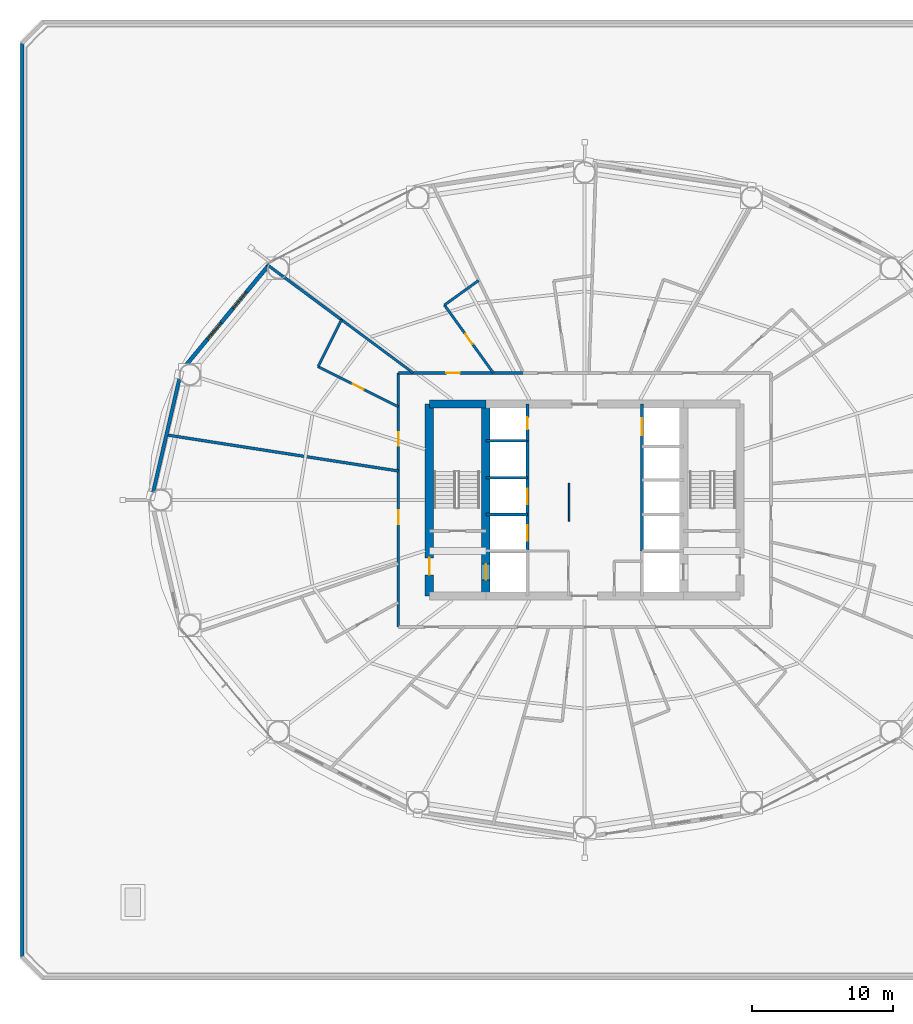
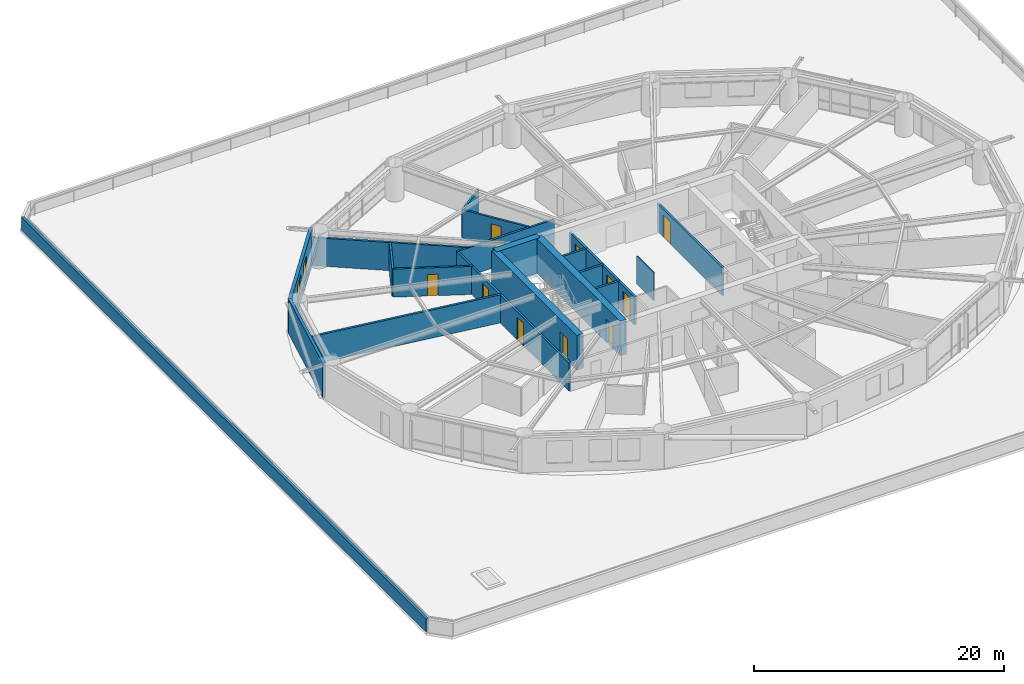
# One storey, part 24 of 30: 22 walls, 11 doors, 2 windows, 13 openings.
"""IFC4 building model written with IfcOpenShell, lengths in metres."""

from ifc_helpers import new_model, si_unit, direction, frame, frame_2d, origin, place, context, subcontext, project, spatial, rectangle, extrude, material, layer, layer_set, type_object, element, fill, save


model = new_model("IFC4")

# Units and contexts
model_context = context("Model", 3, precision=1e-05, world=origin(), true_north=direction((0.0, 1.0)))
body_context = subcontext(model_context, "Body", "Model", "MODEL_VIEW")
ifc_project = project(units=[si_unit("LENGTHUNIT", "METRE"), si_unit("AREAUNIT", "SQUARE_METRE"), si_unit("VOLUMEUNIT", "CUBIC_METRE"), si_unit("PLANEANGLEUNIT", "RADIAN"), si_unit("MASSUNIT", "GRAM", prefix="KILO")], contexts=[model_context])

# Site, building, storey
site_placement = place(None, origin())
site = spatial("IfcSite", under=ifc_project, at=site_placement, CompositionType="ELEMENT")
building_placement = place(site_placement, origin())
building = spatial("IfcBuilding", under=site, at=building_placement, Name="Sarneth Arch Tower", CompositionType="ELEMENT")
storey_placement = place(building_placement, frame((0.0, 0.0, 28.199951171875)))
storey = spatial("IfcBuildingStorey", under=building, at=storey_placement, Name="L05", CompositionType="ELEMENT", Elevation=28.199951171875)

# Wall
ifc_material_1 = material(Name="Concrete C60/75", Category="concrete")
ifc_layer_1 = layer(ifc_material_1, 0.60009765625)
ifc_layer_set_1 = layer_set([ifc_layer_1], Name="Concrete C60/75")
wall_type_1 = type_object("IfcWallType", Name="WALL-CORE-600", PredefinedType="SHEAR", material=ifc_layer_set_1)
wall_1_placement = place(storey_placement, frame((37.0, 48.800048828125, 0.0), z_axis=(0.0, 0.0, 1.0), x_axis=(1.0, 0.0, 0.0)))
element("IfcWall", 1, at=wall_1_placement, inside=storey, type_object=wall_type_1, Name="L05 Core shear wall N-W", PredefinedType="SHEAR", context=body_context, shape_type="SweptSolid", body=[
    extrude(rectangle(XDim=4.0, YDim=0.60009765625, at=frame_2d((2.0, 0.0))), origin(), (0.0, 0.0, 1.0), 3.380126953125),
])

# Wall, opening, door
wall_2_placement = place(storey_placement, frame((37.0, 35.199951171875, 0.0), z_axis=(0.0, 0.0, 1.0), x_axis=(0.0, 1.0, 0.0)))
wall_2 = element("IfcWall", 2, at=wall_2_placement, inside=storey, type_object=wall_type_1, Name="L05 Core shear wall W", PredefinedType="SHEAR", context=body_context, shape_type="SweptSolid", body=[
    extrude(rectangle(XDim=13.60009765625, YDim=0.60009765625, at=frame_2d((6.800048828125, 0.0))), origin(), (0.0, 0.0, 1.0), 3.380126953125),
])
opening_1_placement = place(wall_2_placement, frame((1.5, 0.0, 0.0)))
opening_1 = element("IfcOpeningElement", 3, at=opening_1_placement, cuts=wall_2, Name="Opening FD-02", PredefinedType="OPENING", context=body_context, shape_type="SweptSolid", body=[
    extrude(rectangle(XDim=1.199951171875, YDim=2.14990234375, at=frame_2d((0.60009765625, 1.074951171875))), frame((0.0, 0.31005859375, 0.0), z_axis=(0.0, -1.0, 0.0), x_axis=(1.0, 0.0, 0.0)), (0.0, 0.0, 1.0), 0.6201171875),
])
ifc_material_2 = material(Name="Galvanised Steel S275 fire door set", Category="steel")
door_type_1 = type_object("IfcDoorType", Name="DR-FD90-1200", OperationType="SINGLE_SWING_LEFT", PredefinedType="DOOR", material=ifc_material_2)
door_1_placement = place(opening_1_placement, origin())
door_1 = element("IfcDoor", 4, at=door_1_placement, inside=storey, type_object=door_type_1, Name="L05 Firefighting lobby 1 exit door", OperationType="SINGLE_SWING_LEFT", OverallHeight=2.14990234375, OverallWidth=1.199951171875, PredefinedType="DOOR", context=body_context, shape_type="SweptSolid", body=[
    extrude(rectangle(XDim=1.199951171875, YDim=2.14990234375, at=frame_2d((0.60009765625, 1.074951171875))), frame((0.0, 0.02490234375, 0.0), z_axis=(0.0, -1.0, 0.0), x_axis=(1.0, 0.0, 0.0)), (0.0, 0.0, 1.0), 0.050048828125),
])
fill(opening_1, door_1)

wall_3_placement = place(storey_placement, frame((41.0, 35.199951171875, 0.0), z_axis=(0.0, 0.0, 1.0), x_axis=(0.0, 1.0, 0.0)))
wall_3 = element("IfcWall", 5, at=wall_3_placement, inside=storey, type_object=wall_type_1, Name="L05 Core shear wall WEB-W", PredefinedType="SHEAR", context=body_context, shape_type="SweptSolid", body=[
    extrude(rectangle(XDim=13.60009765625, YDim=0.60009765625, at=frame_2d((6.800048828125, 0.0))), origin(), (0.0, 0.0, 1.0), 3.380126953125),
])
opening_2_placement = place(wall_3_placement, frame((1.14990234375, 0.0, 0.0)))
opening_2 = element("IfcOpeningElement", 6, at=opening_2_placement, cuts=wall_3, Name="Opening LD-1", PredefinedType="OPENING", context=body_context, shape_type="SweptSolid", body=[
    extrude(rectangle(XDim=1.10009765625, YDim=2.199951171875, at=frame_2d((0.550048828125, 1.10009765625))), frame((0.0, 0.31005859375, 0.0), z_axis=(0.0, -1.0, 0.0), x_axis=(1.0, 0.0, 0.0)), (0.0, 0.0, 1.0), 0.6201171875),
])
ifc_material_3 = material(Name="Brushed Stainless Steel 304 lift landing door", Category="steel")
door_type_2 = type_object("IfcDoorType", Name="DR-LIFT-SLIDE-1100", OperationType="SLIDING_TO_LEFT", PredefinedType="DOOR", material=ifc_material_3)
door_2_placement = place(opening_2_placement, origin())
door_2 = element("IfcDoor", 7, at=door_2_placement, inside=storey, type_object=door_type_2, Name="L05 Firefighting lift landing door FL-1", OperationType="SLIDING_TO_LEFT", OverallHeight=2.199951171875, OverallWidth=1.10009765625, PredefinedType="DOOR", context=body_context, shape_type="SweptSolid", body=[
    extrude(rectangle(XDim=1.10009765625, YDim=2.199951171875, at=frame_2d((0.550048828125, 1.10009765625))), frame((0.0, 0.02490234375, 0.0), z_axis=(0.0, -1.0, 0.0), x_axis=(1.0, 0.0, 0.0)), (0.0, 0.0, 1.0), 0.050048828125),
])
fill(opening_2, door_2)

# Wall, openings, doors
ifc_material_4 = material(Name="Double steel-stud corridor fire wall", Category="steel")
ifc_layer_2 = layer(ifc_material_4, 0.18994140625)
ifc_layer_set_2 = layer_set([ifc_layer_2], Name="Double steel-stud corridor fire wall")
wall_type_2 = type_object("IfcWallType", Name="WALL-CORR-190", PredefinedType="PARTITIONING", material=ifc_layer_set_2)
wall_4_placement = place(storey_placement, frame((34.800048828125, 33.0, 0.0), z_axis=(0.0, 0.0, 1.0), x_axis=(0.0, 1.0, 0.0)))
wall_4 = element("IfcWall", 8, at=wall_4_placement, inside=storey, type_object=wall_type_2, Name="L05 Interior partition W-L05-TP-014", PredefinedType="PARTITIONING", context=body_context, shape_type="SweptSolid", body=[
    extrude(rectangle(XDim=18.0, YDim=0.18994140625, at=frame_2d((9.0, 0.0))), origin(), (0.0, 0.0, 1.0), 2.739990234375),
])
opening_3_placement = place(wall_4_placement, frame((7.273681640625, 0.0, 0.0)))
opening_3 = element("IfcOpeningElement", 9, at=opening_3_placement, cuts=wall_4, Name="Opening FD-08", PredefinedType="OPENING", context=body_context, shape_type="SweptSolid", body=[
    extrude(rectangle(XDim=1.0, YDim=2.199951171875, at=frame_2d((0.5, 1.10009765625))), frame((0.0, 0.10498046875, 0.0), z_axis=(0.0, -1.0, 0.0), x_axis=(1.0, 0.0, 0.0)), (0.0, 0.0, 1.0), 0.2099609375),
])
opening_4_placement = place(wall_4_placement, frame((12.8544921875, 0.0, 0.0)))
opening_4 = element("IfcOpeningElement", 10, at=opening_4_placement, cuts=wall_4, Name="Opening FD-09", PredefinedType="OPENING", context=body_context, shape_type="SweptSolid", body=[
    extrude(rectangle(XDim=0.949951171875, YDim=2.14990234375, at=frame_2d((0.47509765625, 1.074951171875))), frame((0.0, 0.10498046875, 0.0), z_axis=(0.0, -1.0, 0.0), x_axis=(1.0, 0.0, 0.0)), (0.0, 0.0, 1.0), 0.2099609375),
])
ifc_material_5 = material(Name="Hardwood timber acoustic fire door", Category="wood")
door_type_3 = type_object("IfcDoorType", Name="DR-FD60-1000", OperationType="SINGLE_SWING_LEFT", PredefinedType="DOOR", material=ifc_material_5)
door_3_placement = place(opening_3_placement, origin())
door_3 = element("IfcDoor", 11, at=door_3_placement, inside=storey, type_object=door_type_3, Name="L05 Interior door DR-L05-AMN-07", OperationType="SINGLE_SWING_RIGHT", OverallHeight=2.199951171875, OverallWidth=1.0, PredefinedType="DOOR", context=body_context, shape_type="SweptSolid", body=[
    extrude(rectangle(XDim=1.0, YDim=2.199951171875, at=frame_2d((0.5, 1.10009765625))), frame((0.0, 0.02490234375, 0.0), z_axis=(0.0, -1.0, 0.0), x_axis=(1.0, 0.0, 0.0)), (0.0, 0.0, 1.0), 0.050048828125),
])
fill(opening_3, door_3)
ifc_material_6 = material(Name="Hardwood timber hotel entrance fire door", Category="wood")
door_type_4 = type_object("IfcDoorType", Name="DR-FD60-950", OperationType="SINGLE_SWING_RIGHT", PredefinedType="DOOR", material=ifc_material_6)
door_4_placement = place(opening_4_placement, origin())
door_4 = element("IfcDoor", 12, at=door_4_placement, inside=storey, type_object=door_type_4, Name="L05 Interior door DR-L05-KEY-06", OperationType="SINGLE_SWING_LEFT", OverallHeight=2.14990234375, OverallWidth=0.949951171875, PredefinedType="DOOR", context=body_context, shape_type="SweptSolid", body=[
    extrude(rectangle(XDim=0.949951171875, YDim=2.14990234375, at=frame_2d((0.47509765625, 1.074951171875))), frame((0.0, 0.02490234375, 0.0), z_axis=(0.0, -1.0, 0.0), x_axis=(1.0, 0.0, 0.0)), (0.0, 0.0, 1.0), 0.050048828125),
])
fill(opening_4, door_4)

# Wall, opening, door
wall_5_placement = place(storey_placement, frame((34.800048828125, 51.0, 0.0), z_axis=(0.0, 0.0, 1.0), x_axis=(1.0, 0.0, 0.0)))
wall_5 = element("IfcWall", 13, at=wall_5_placement, inside=storey, type_object=wall_type_2, Name="L05 Interior partition W-L05-TP-009", PredefinedType="PARTITIONING", context=body_context, shape_type="SweptSolid", body=[
    extrude(rectangle(XDim=8.890625, YDim=0.18994140625, at=frame_2d((4.4453125, 0.0))), origin(), (0.0, 0.0, 1.0), 2.739990234375),
])
opening_5_placement = place(wall_5_placement, frame((3.40673828125, 0.0, 0.0)))
opening_5 = element("IfcOpeningElement", 14, at=opening_5_placement, cuts=wall_5, Name="Opening FD-09", PredefinedType="OPENING", context=body_context, shape_type="SweptSolid", body=[
    extrude(rectangle(XDim=0.949951171875, YDim=2.14990234375, at=frame_2d((0.47509765625, 1.074951171875))), frame((0.0, 0.10498046875, 0.0), z_axis=(0.0, -1.0, 0.0), x_axis=(1.0, 0.0, 0.0)), (0.0, 0.0, 1.0), 0.2099609375),
])
door_5_placement = place(opening_5_placement, origin())
door_5 = element("IfcDoor", 15, at=door_5_placement, inside=storey, type_object=door_type_4, Name="L05 Interior door DR-L05-KEY-05", OperationType="SINGLE_SWING_LEFT", OverallHeight=2.14990234375, OverallWidth=0.949951171875, PredefinedType="DOOR", context=body_context, shape_type="SweptSolid", body=[
    extrude(rectangle(XDim=0.949951171875, YDim=2.14990234375, at=frame_2d((0.47509765625, 1.074951171875))), frame((0.0, 0.02490234375, 0.0), z_axis=(0.0, -1.0, 0.0), x_axis=(1.0, 0.0, 0.0)), (0.0, 0.0, 1.0), 0.050048828125),
])
fill(opening_5, door_5)

# Wall
ifc_material_7 = material(Name="Extruded terracotta rainscreen on Concrete C40/50 backing", Category="masonry")
ifc_layer_3 = layer(ifc_material_7, 0.25)
ifc_layer_set_3 = layer_set([ifc_layer_3], Name="Extruded terracotta rainscreen on Concrete C40/50 backing")
wall_type_3 = type_object("IfcWallType", Name="WALL-EXT-SPAND-250", PredefinedType="SOLIDWALL", material=ifc_layer_set_3)
wall_6_placement = place(storey_placement, frame((19.4189453125, 51.138427734375, 0.0), z_axis=(0.0, 0.0, 1.0), x_axis=(-0.225454452941, -0.974253709076, 0.0)))
element("IfcWall", 16, at=wall_6_placement, inside=storey, type_object=wall_type_3, Name="L05 Terracotta perimeter wall 08", PredefinedType="SOLIDWALL", context=body_context, shape_type="SweptSolid", body=[
    extrude(rectangle(XDim=9.3798828125, YDim=0.25, at=frame_2d((4.68994140625, 0.0))), origin(), (0.0, 0.0, 1.0), 3.380126953125),
])

# Wall, openings, windows
ifc_material_8 = material(Name="Extruded terracotta rainscreen on Concrete C40/50 backing", Category="masonry")
ifc_layer_4 = layer(ifc_material_8, 0.280029296875)
ifc_layer_set_4 = layer_set([ifc_layer_4], Name="Extruded terracotta rainscreen on Concrete C40/50 backing")
wall_type_4 = type_object("IfcWallType", Name="WALL-EXT-TERRA-280", PredefinedType="SOLIDWALL", material=ifc_layer_set_4)
wall_7_placement = place(storey_placement, frame((25.825927734375, 58.8857421875, 0.0), z_axis=(0.0, 0.0, 1.0), x_axis=(-0.637296809613, -0.770618437657, 0.0)))
wall_7 = element("IfcWall", 17, at=wall_7_placement, inside=storey, type_object=wall_type_4, Name="L05 Terracotta perimeter wall 07", PredefinedType="SOLIDWALL", context=body_context, shape_type="SweptSolid", body=[
    extrude(rectangle(XDim=10.053466796875, YDim=0.280029296875, at=frame_2d((5.02685546875, 0.0))), origin(), (0.0, 0.0, 1.0), 3.380126953125),
])
opening_6_placement = place(wall_7_placement, frame((2.798095703125, 0.0, 0.85009765625)))
opening_6 = element("IfcOpeningElement", 18, at=opening_6_placement, cuts=wall_7, Name="Opening W-07", PredefinedType="OPENING", context=body_context, shape_type="SweptSolid", body=[
    extrude(rectangle(XDim=1.5, YDim=1.800048828125, at=frame_2d((0.75, 0.89990234375))), frame((0.0, 0.14990234375, 0.0), z_axis=(0.0, -1.0, 0.0), x_axis=(1.0, 0.0, 0.0)), (0.0, 0.0, 1.0), 0.300048828125),
])
opening_7_placement = place(wall_7_placement, frame((5.6298828125, 0.0, 0.85009765625)))
opening_7 = element("IfcOpeningElement", 19, at=opening_7_placement, cuts=wall_7, Name="Opening W-07", PredefinedType="OPENING", context=body_context, shape_type="SweptSolid", body=[
    extrude(rectangle(XDim=1.5, YDim=1.800048828125, at=frame_2d((0.75, 0.89990234375))), frame((0.0, 0.14990234375, 0.0), z_axis=(0.0, -1.0, 0.0), x_axis=(1.0, 0.0, 0.0)), (0.0, 0.0, 1.0), 0.300048828125),
])
ifc_material_9 = material(Name="Thermally broken Aluminium 6063-T6 and low-e laminated IGU", Category="aluminium")
window_type = type_object("IfcWindowType", Name="WIN-TWR-1500x1800", PartitioningType="SINGLE_PANEL", PredefinedType="WINDOW", material=ifc_material_9)
window_1_placement = place(opening_6_placement, origin())
window_1 = element("IfcWindow", 20, at=window_1_placement, inside=storey, type_object=window_type, Name="L05 Exterior window 07A", OverallHeight=1.800048828125, OverallWidth=1.5, PartitioningType="SINGLE_PANEL", PredefinedType="WINDOW", context=body_context, shape_type="SweptSolid", body=[
    extrude(rectangle(XDim=1.5, YDim=1.800048828125, at=frame_2d((0.75, 0.89990234375))), frame((0.0, 0.030029296875, 0.0), z_axis=(0.0, -1.0, 0.0), x_axis=(1.0, 0.0, 0.0)), (0.0, 0.0, 1.0), 0.06005859375),
])
fill(opening_6, window_1)
window_2_placement = place(opening_7_placement, origin())
window_2 = element("IfcWindow", 21, at=window_2_placement, inside=storey, type_object=window_type, Name="L05 Exterior window 07B", OverallHeight=1.800048828125, OverallWidth=1.5, PartitioningType="SINGLE_PANEL", PredefinedType="WINDOW", context=body_context, shape_type="SweptSolid", body=[
    extrude(rectangle(XDim=1.5, YDim=1.800048828125, at=frame_2d((0.75, 0.89990234375))), frame((0.0, 0.030029296875, 0.0), z_axis=(0.0, -1.0, 0.0), x_axis=(1.0, 0.0, 0.0)), (0.0, 0.0, 1.0), 0.06005859375),
])
fill(opening_7, window_2)

# Walls
ifc_material_10 = material(Name="Demountable acoustic operable wall", Category="aluminium")
ifc_layer_5 = layer(ifc_material_10, 0.10009765625)
ifc_layer_set_5 = layer_set([ifc_layer_5], Name="Demountable acoustic operable wall")
wall_type_5 = type_object("IfcWallType", Name="WALL-MOVABLE-100", PredefinedType="MOVABLE", material=ifc_layer_set_5)
wall_8_placement = place(storey_placement, frame((46.89990234375, 40.5, 0.0), z_axis=(0.0, 0.0, 1.0), x_axis=(0.0, 1.0, 0.0)))
element("IfcWall", 22, at=wall_8_placement, inside=storey, type_object=wall_type_5, Name="L05 Lobby acoustic screen 2", PredefinedType="MOVABLE", context=body_context, shape_type="SweptSolid", body=[
    extrude(rectangle(XDim=2.699951171875, YDim=0.10009765625, at=frame_2d((1.35009765625, 0.0))), origin(), (0.0, 0.0, 1.0), 2.739990234375),
])
ifc_material_11 = material(Name="Extruded terracotta rainscreen on Concrete C40/50 backing", Category="masonry")
ifc_layer_6 = layer(ifc_material_11, 0.239990234375)
ifc_layer_set_6 = layer_set([ifc_layer_6], Name="Extruded terracotta rainscreen on Concrete C40/50 backing")
wall_type_6 = type_object("IfcWallType", Name="WALL-PARAPET-240", PredefinedType="PARAPET", material=ifc_layer_set_6)
wall_9_placement = place(storey_placement, frame((8.14990234375, 74.35009765625, 0.0), z_axis=(0.0, 0.0, 1.0), x_axis=(0.0, -1.0, 0.0)))
element("IfcWall", 23, at=wall_9_placement, inside=storey, type_object=wall_type_6, Name="L05 Podium roof parapet 7", PredefinedType="PARAPET", context=body_context, shape_type="SweptSolid", body=[
    extrude(rectangle(XDim=64.7001953125, YDim=0.239990234375, at=frame_2d((32.35009765625, 0.0))), origin(), (0.0, 0.0, 1.0), 1.25),
])

# Wall, opening, door
ifc_material_12 = material(Name="Moisture-resistant plumbing chase wall", Category="gypsum")
ifc_layer_7 = layer(ifc_material_12, 0.179931640625)
ifc_layer_set_7 = layer_set([ifc_layer_7], Name="Moisture-resistant plumbing chase wall")
wall_type_7 = type_object("IfcWallType", Name="WALL-PLUMB-180", PredefinedType="PLUMBINGWALL", material=ifc_layer_set_7)
wall_10_placement = place(storey_placement, frame((34.800048828125, 48.601318359375, 0.0), z_axis=(0.0, 0.0, 1.0), x_axis=(-0.894404156958, 0.447259660617, 0.0)))
wall_10 = element("IfcWall", 24, at=wall_10_placement, inside=storey, type_object=wall_type_7, Name="L05 Interior partition W-L05-TP-048", PredefinedType="PLUMBINGWALL", context=body_context, shape_type="SweptSolid", body=[
    extrude(rectangle(XDim=6.35986328125, YDim=0.179931640625, at=frame_2d((3.179931640625, 0.0))), origin(), (0.0, 0.0, 1.0), 2.739990234375),
])
opening_8_placement = place(wall_10_placement, frame((2.7548828125, 0.0, 0.0)))
opening_8 = element("IfcOpeningElement", 25, at=opening_8_placement, cuts=wall_10, Name="Opening ID-02", PredefinedType="OPENING", context=body_context, shape_type="SweptSolid", body=[
    extrude(rectangle(XDim=0.85009765625, YDim=2.10009765625, at=frame_2d((0.425048828125, 1.050048828125))), frame((0.0, 0.099853515625, 0.0), z_axis=(0.0, -1.0, 0.0), x_axis=(1.0, 0.0, 0.0)), (0.0, 0.0, 1.0), 0.199951171875),
])
ifc_material_13 = material(Name="Moisture-resistant bathroom timber door", Category="wood")
door_type_5 = type_object("IfcDoorType", Name="DR-INT-850", OperationType="SINGLE_SWING_RIGHT", PredefinedType="DOOR", material=ifc_material_13)
door_6_placement = place(opening_8_placement, origin())
door_6 = element("IfcDoor", 26, at=door_6_placement, inside=storey, type_object=door_type_5, Name="L05 Interior door DR-L05-ENS-06", OperationType="SINGLE_SWING_RIGHT", OverallHeight=2.10009765625, OverallWidth=0.85009765625, PredefinedType="DOOR", context=body_context, shape_type="SweptSolid", body=[
    extrude(rectangle(XDim=0.85009765625, YDim=2.10009765625, at=frame_2d((0.425048828125, 1.050048828125))), frame((0.0, 0.02490234375, 0.0), z_axis=(0.0, -1.0, 0.0), x_axis=(1.0, 0.0, 0.0)), (0.0, 0.0, 1.0), 0.050048828125),
])
fill(opening_8, door_6)

# Wall
wall_11_placement = place(storey_placement, frame((30.772216796875, 54.765869140625, 0.0), z_axis=(0.0, 0.0, 1.0), x_axis=(0.803451199128, -0.595370616187, 0.0)))
element("IfcWall", 27, at=wall_11_placement, inside=storey, type_object=wall_type_7, Name="L05 Interior partition W-L05-TP-047", PredefinedType="PLUMBINGWALL", context=body_context, shape_type="SweptSolid", body=[
    extrude(rectangle(XDim=6.3251953125, YDim=0.179931640625, at=frame_2d((3.16259765625, 0.0))), origin(), (0.0, 0.0, 1.0), 2.739990234375),
])

# Wall, opening, door
wall_12_placement = place(storey_placement, frame((38.0634765625, 55.80859375, 0.0), z_axis=(0.0, 0.0, 1.0), x_axis=(0.584084318507, -0.811692989297, 0.0)))
wall_12 = element("IfcWall", 28, at=wall_12_placement, inside=storey, type_object=wall_type_7, Name="L05 Interior partition W-L05-TP-045", PredefinedType="PLUMBINGWALL", context=body_context, shape_type="SweptSolid", body=[
    extrude(rectangle(XDim=5.924072265625, YDim=0.179931640625, at=frame_2d((2.9619140625, 0.0))), origin(), (0.0, 0.0, 1.0), 2.739990234375),
])
opening_9_placement = place(wall_12_placement, frame((2.537109375, 0.0, 0.0)))
opening_9 = element("IfcOpeningElement", 29, at=opening_9_placement, cuts=wall_12, Name="Opening ID-02", PredefinedType="OPENING", context=body_context, shape_type="SweptSolid", body=[
    extrude(rectangle(XDim=0.85009765625, YDim=2.10009765625, at=frame_2d((0.425048828125, 1.050048828125))), frame((0.0, 0.099853515625, 0.0), z_axis=(0.0, -1.0, 0.0), x_axis=(1.0, 0.0, 0.0)), (0.0, 0.0, 1.0), 0.199951171875),
])
door_7_placement = place(opening_9_placement, origin())
door_7 = element("IfcDoor", 30, at=door_7_placement, inside=storey, type_object=door_type_5, Name="L05 Interior door DR-L05-ENS-05", OperationType="SINGLE_SWING_RIGHT", OverallHeight=2.10009765625, OverallWidth=0.85009765625, PredefinedType="DOOR", context=body_context, shape_type="SweptSolid", body=[
    extrude(rectangle(XDim=0.85009765625, YDim=2.10009765625, at=frame_2d((0.425048828125, 1.050048828125))), frame((0.0, 0.02490234375, 0.0), z_axis=(0.0, -1.0, 0.0), x_axis=(1.0, 0.0, 0.0)), (0.0, 0.0, 1.0), 0.050048828125),
])
fill(opening_9, door_7)

# Walls
wall_13_placement = place(storey_placement, frame((29.11181640625, 51.44580078125, 0.0), z_axis=(0.0, 0.0, 1.0), x_axis=(0.447292516126, 0.894387726334, 0.0)))
element("IfcWall", 31, at=wall_13_placement, inside=storey, type_object=wall_type_7, Name="L05 Interior partition W-L05-TP-049", PredefinedType="PLUMBINGWALL", context=body_context, shape_type="SweptSolid", body=[
    extrude(rectangle(XDim=3.712158203125, YDim=0.179931640625, at=frame_2d((1.85595703125, 0.0))), origin(), (0.0, 0.0, 1.0), 2.739990234375),
])
wall_14_placement = place(storey_placement, frame((40.490478515625, 57.55517578125, 0.0), z_axis=(0.0, 0.0, 1.0), x_axis=(-0.811670601443, -0.584115429305, 0.0)))
element("IfcWall", 32, at=wall_14_placement, inside=storey, type_object=wall_type_7, Name="L05 Interior partition W-L05-TP-044", PredefinedType="PLUMBINGWALL", context=body_context, shape_type="SweptSolid", body=[
    extrude(rectangle(XDim=2.990234375, YDim=0.179931640625, at=frame_2d((1.4951171875, 0.0))), origin(), (0.0, 0.0, 1.0), 2.739990234375),
])
ifc_material_14 = material(Name="Aerated concrete blockwork C25/30", Category="masonry")
ifc_layer_8 = layer(ifc_material_14, 0.199951171875)
ifc_layer_set_8 = layer_set([ifc_layer_8], Name="Aerated concrete blockwork C25/30")
wall_type_8 = type_object("IfcWallType", Name="WALL-SHAFT-200", PredefinedType="SOLIDWALL", material=ifc_layer_set_8)
wall_15_placement = place(storey_placement, frame((41.0, 46.199951171875, 0.0), z_axis=(0.0, 0.0, 1.0), x_axis=(1.0, 0.0, 0.0)))
element("IfcWall", 33, at=wall_15_placement, inside=storey, type_object=wall_type_8, Name="L05 Interior partition W-L05-RISER-S", PredefinedType="SOLIDWALL", context=body_context, shape_type="SweptSolid", body=[
    extrude(rectangle(XDim=2.949951171875, YDim=0.199951171875, at=frame_2d((1.47509765625, 0.0))), origin(), (0.0, 0.0, 1.0), 2.739990234375),
])

# Wall, opening, door
wall_16_placement = place(storey_placement, frame((43.949951171875, 46.199951171875, 0.0), z_axis=(0.0, 0.0, 1.0), x_axis=(0.0, 1.0, 0.0)))
wall_16 = element("IfcWall", 34, at=wall_16_placement, inside=storey, type_object=wall_type_8, Name="L05 Interior partition W-L05-RISER-E", PredefinedType="SOLIDWALL", context=body_context, shape_type="SweptSolid", body=[
    extrude(rectangle(XDim=2.60009765625, YDim=0.199951171875, at=frame_2d((1.300048828125, 0.0))), origin(), (0.0, 0.0, 1.0), 2.739990234375),
])
opening_10_placement = place(wall_16_placement, frame((0.800048828125, 0.0, 0.0)))
opening_10 = element("IfcOpeningElement", 35, at=opening_10_placement, cuts=wall_16, Name="Opening FD-11", PredefinedType="OPENING", context=body_context, shape_type="SweptSolid", body=[
    extrude(rectangle(XDim=0.85009765625, YDim=2.14990234375, at=frame_2d((0.425048828125, 1.074951171875))), frame((0.0, 0.10986328125, 0.0), z_axis=(0.0, -1.0, 0.0), x_axis=(1.0, 0.0, 0.0)), (0.0, 0.0, 1.0), 0.219970703125),
])
ifc_material_15 = material(Name="Galvanised Steel S275 closet fire door", Category="steel")
door_type_6 = type_object("IfcDoorType", Name="DR-FD60-850", OperationType="SINGLE_SWING_LEFT", PredefinedType="DOOR", material=ifc_material_15)
door_8_placement = place(opening_10_placement, origin())
door_8 = element("IfcDoor", 36, at=door_8_placement, inside=storey, type_object=door_type_6, Name="L05 Lift landing door DR-L05-RISER", OperationType="SINGLE_SWING_LEFT", OverallHeight=2.14990234375, OverallWidth=0.85009765625, PredefinedType="DOOR", context=body_context, shape_type="SweptSolid", body=[
    extrude(rectangle(XDim=0.85009765625, YDim=2.14990234375, at=frame_2d((0.425048828125, 1.074951171875))), frame((0.0, 0.02490234375, 0.0), z_axis=(0.0, -1.0, 0.0), x_axis=(1.0, 0.0, 0.0)), (0.0, 0.0, 1.0), 0.050048828125),
])
fill(opening_10, door_8)

# Wall, openings, doors
wall_17_placement = place(storey_placement, frame((43.949951171875, 38.39990234375, 0.0), z_axis=(0.0, 0.0, 1.0), x_axis=(0.0, 1.0, 0.0)))
wall_17 = element("IfcWall", 37, at=wall_17_placement, inside=storey, type_object=wall_type_8, Name="L05 Interior partition W-L05-WESTBANK-FRONT", PredefinedType="SOLIDWALL", context=body_context, shape_type="SweptSolid", body=[
    extrude(rectangle(XDim=7.800048828125, YDim=0.199951171875, at=frame_2d((3.89990234375, 0.0))), origin(), (0.0, 0.0, 1.0), 2.739990234375),
])
opening_11_placement = place(wall_17_placement, frame((0.699951171875, 0.0, 0.0)))
opening_11 = element("IfcOpeningElement", 38, at=opening_11_placement, cuts=wall_17, Name="Opening LD-1", PredefinedType="OPENING", context=body_context, shape_type="SweptSolid", body=[
    extrude(rectangle(XDim=1.10009765625, YDim=2.199951171875, at=frame_2d((0.550048828125, 1.10009765625))), frame((0.0, 0.10986328125, 0.0), z_axis=(0.0, -1.0, 0.0), x_axis=(1.0, 0.0, 0.0)), (0.0, 0.0, 1.0), 0.219970703125),
])
opening_12_placement = place(wall_17_placement, frame((3.300048828125, 0.0, 0.0)))
opening_12 = element("IfcOpeningElement", 39, at=opening_12_placement, cuts=wall_17, Name="Opening LD-1", PredefinedType="OPENING", context=body_context, shape_type="SweptSolid", body=[
    extrude(rectangle(XDim=1.10009765625, YDim=2.199951171875, at=frame_2d((0.550048828125, 1.10009765625))), frame((0.0, 0.10986328125, 0.0), z_axis=(0.0, -1.0, 0.0), x_axis=(1.0, 0.0, 0.0)), (0.0, 0.0, 1.0), 0.219970703125),
])
door_9_placement = place(opening_11_placement, origin())
door_9 = element("IfcDoor", 40, at=door_9_placement, inside=storey, type_object=door_type_2, Name="L05 Lift landing door DR-L05-LD-PL1", OperationType="SLIDING_TO_LEFT", OverallHeight=2.199951171875, OverallWidth=1.10009765625, PredefinedType="DOOR", context=body_context, shape_type="SweptSolid", body=[
    extrude(rectangle(XDim=1.10009765625, YDim=2.199951171875, at=frame_2d((0.550048828125, 1.10009765625))), frame((0.0, 0.02490234375, 0.0), z_axis=(0.0, -1.0, 0.0), x_axis=(1.0, 0.0, 0.0)), (0.0, 0.0, 1.0), 0.050048828125),
])
fill(opening_11, door_9)
door_10_placement = place(opening_12_placement, origin())
door_10 = element("IfcDoor", 41, at=door_10_placement, inside=storey, type_object=door_type_2, Name="L05 Lift landing door DR-L05-LD-PL2", OperationType="SLIDING_TO_RIGHT", OverallHeight=2.199951171875, OverallWidth=1.10009765625, PredefinedType="DOOR", context=body_context, shape_type="SweptSolid", body=[
    extrude(rectangle(XDim=1.10009765625, YDim=2.199951171875, at=frame_2d((0.550048828125, 1.10009765625))), frame((0.0, 0.02490234375, 0.0), z_axis=(0.0, -1.0, 0.0), x_axis=(1.0, 0.0, 0.0)), (0.0, 0.0, 1.0), 0.050048828125),
])
fill(opening_12, door_10)

# Walls
for number, where, z_axis, x_axis, name in (
    (42, (41.0, 40.97998046875, 0.0), (0.0, 0.0, 1.0), (1.0, 0.0, 0.0), "L05 Interior partition W-L05-WB-DIV-4098"),
    (43, (41.0, 43.580078125, 0.0), (0.0, 0.0, 1.0), (1.0, 0.0, 0.0), "L05 Interior partition W-L05-WB-DIV-4358"),
):
    element("IfcWall", number, at=place(storey_placement, frame(where, z_axis=z_axis, x_axis=x_axis)), inside=storey, type_object=wall_type_8, Name=name, PredefinedType="SOLIDWALL", context=body_context, shape_type="SweptSolid", body=[
        extrude(rectangle(XDim=2.949951171875, YDim=0.199951171875, at=frame_2d((1.47509765625, 0.0))), origin(), (0.0, 0.0, 1.0), 2.739990234375),
    ])

# Wall, opening, door
wall_18_placement = place(storey_placement, frame((52.050048828125, 38.39990234375, 0.0), z_axis=(0.0, 0.0, 1.0), x_axis=(0.0, 1.0, 0.0)))
wall_18 = element("IfcWall", 44, at=wall_18_placement, inside=storey, type_object=wall_type_8, Name="L05 Interior partition W-L05-EASTBANK-FRONT", PredefinedType="SOLIDWALL", context=body_context, shape_type="SweptSolid", body=[
    extrude(rectangle(XDim=10.400146484375, YDim=0.199951171875, at=frame_2d((5.2001953125, 0.0))), origin(), (0.0, 0.0, 1.0), 2.739990234375),
])
opening_13_placement = place(wall_18_placement, frame((8.199951171875, 0.0, 0.0)))
opening_13 = element("IfcOpeningElement", 45, at=opening_13_placement, cuts=wall_18, Name="Opening LD-2", PredefinedType="OPENING", context=body_context, shape_type="SweptSolid", body=[
    extrude(rectangle(XDim=1.199951171875, YDim=2.199951171875, at=frame_2d((0.60009765625, 1.10009765625))), frame((0.0, 0.10986328125, 0.0), z_axis=(0.0, -1.0, 0.0), x_axis=(1.0, 0.0, 0.0)), (0.0, 0.0, 1.0), 0.219970703125),
])
ifc_material_16 = material(Name="Brushed Stainless Steel 304 service lift door", Category="steel")
door_type_7 = type_object("IfcDoorType", Name="DR-LIFT-SLIDE-1200", OperationType="SLIDING_TO_RIGHT", PredefinedType="DOOR", material=ifc_material_16)
door_11_placement = place(opening_13_placement, origin())
door_11 = element("IfcDoor", 46, at=door_11_placement, inside=storey, type_object=door_type_7, Name="L05 Lift landing door DR-L05-LD-SL1", OperationType="SLIDING_TO_RIGHT", OverallHeight=2.199951171875, OverallWidth=1.199951171875, PredefinedType="DOOR", context=body_context, shape_type="SweptSolid", body=[
    extrude(rectangle(XDim=1.199951171875, YDim=2.199951171875, at=frame_2d((0.60009765625, 1.10009765625))), frame((0.0, 0.02490234375, 0.0), z_axis=(0.0, -1.0, 0.0), x_axis=(1.0, 0.0, 0.0)), (0.0, 0.0, 1.0), 0.050048828125),
])
fill(opening_13, door_11)

# Walls
ifc_material_17 = material(Name="Double steel-stud acoustic drywall", Category="steel")
ifc_layer_9 = layer(ifc_material_17, 0.199951171875)
ifc_layer_set_9 = layer_set([ifc_layer_9], Name="Double steel-stud acoustic drywall")
wall_type_9 = type_object("IfcWallType", Name="WALL-UNIT-200", PredefinedType="PARTITIONING", material=ifc_layer_set_9)
wall_19_placement = place(storey_placement, frame((18.252685546875, 46.629638671875, 0.0), z_axis=(0.0, 0.0, 1.0), x_axis=(0.988105936892, -0.153774697134, 0.0)))
element("IfcWall", 47, at=wall_19_placement, inside=storey, type_object=wall_type_9, Name="L05 Interior partition W-L05-TP-050", PredefinedType="PARTITIONING", context=body_context, shape_type="SweptSolid", body=[
    extrude(rectangle(XDim=16.74658203125, YDim=0.199951171875, at=frame_2d((8.373291015625, 0.0))), origin(), (0.0, 0.0, 1.0), 2.739990234375),
])
wall_20_placement = place(storey_placement, frame((25.496337890625, 58.67529296875, 0.0), z_axis=(0.0, 0.0, 1.0), x_axis=(0.803457728354, -0.595361804912, 0.0)))
element("IfcWall", 48, at=wall_20_placement, inside=storey, type_object=wall_type_9, Name="L05 Interior partition W-L05-TP-046", PredefinedType="PARTITIONING", context=body_context, shape_type="SweptSolid", body=[
    extrude(rectangle(XDim=6.56640625, YDim=0.199951171875, at=frame_2d((3.283203125, 0.0))), origin(), (0.0, 0.0, 1.0), 2.739990234375),
])

save(model, "model.ifc")
